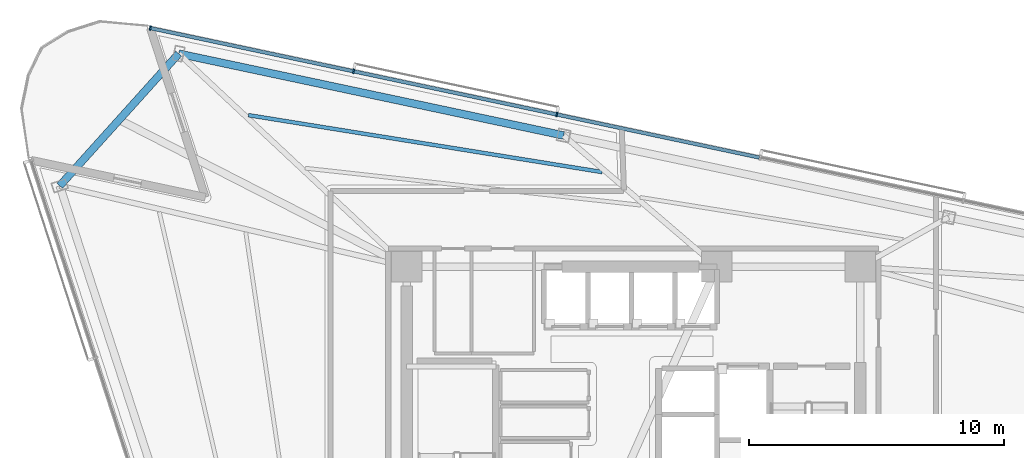
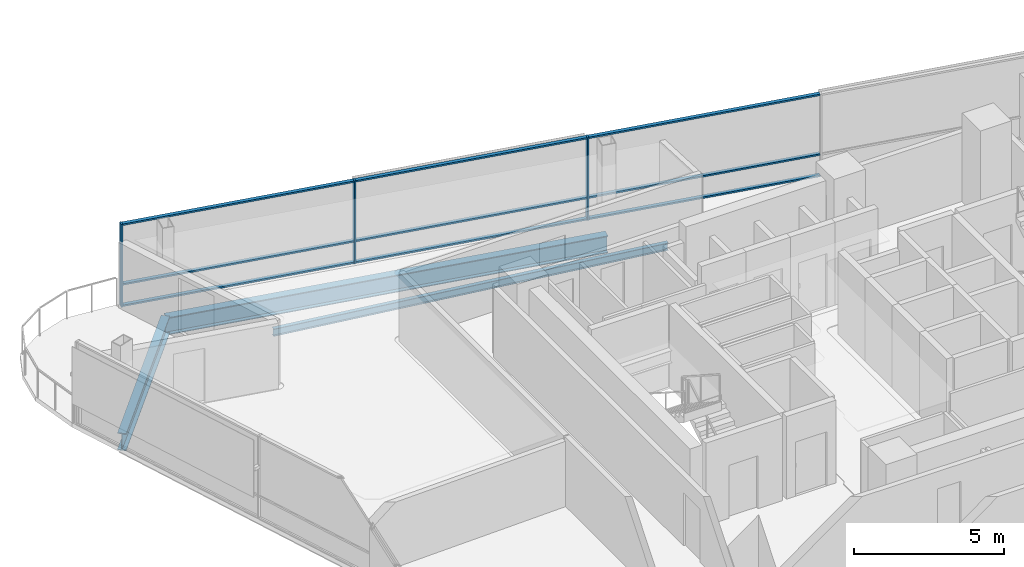
# One storey, part 7 of 17: 12 members, 3 beams, 1 element without a shape of its own.
"""IFC4 building model written with IfcOpenShell, lengths in metres."""

from ifc_helpers import new_model, si_unit, direction, frame, origin, origin_2d, place, context, subcontext, project, spatial, rectangle, i_section, extrude, material, layer, layer_set, material_profile, profile_set, type_object, element, aggregate, save


model = new_model("IFC4")

# Units and contexts
model_context = context("Model", 3, precision=1e-05, world=origin(), true_north=direction((0.0, 1.0)))
body_context = subcontext(model_context, "Body", "Model", "MODEL_VIEW")
ifc_project = project(units=[si_unit("LENGTHUNIT", "METRE"), si_unit("AREAUNIT", "SQUARE_METRE"), si_unit("VOLUMEUNIT", "CUBIC_METRE"), si_unit("PLANEANGLEUNIT", "RADIAN"), si_unit("MASSUNIT", "GRAM", prefix="KILO")], contexts=[model_context])

# Site, building, storey
site_placement = place(None, origin())
site = spatial("IfcSite", under=ifc_project, at=site_placement, CompositionType="ELEMENT")
building_placement = place(site_placement, origin())
building = spatial("IfcBuilding", under=site, at=building_placement, Name="Tharavind Bronze Gate", CompositionType="ELEMENT")
storey_placement = place(building_placement, frame((0.0, 0.0, 218.449951171875)))
storey = spatial("IfcBuildingStorey", under=building, at=storey_placement, Name="L56", CompositionType="ELEMENT", Elevation=218.449951171875)

# Curtain wall, members
ifc_material_1 = material(Name="Anodised Bronze Aluminium", Category="aluminium")
ifc_layer = layer(ifc_material_1, 0.219970703125)
ifc_layer_set = layer_set([ifc_layer], Name="Anodised Bronze Aluminium")
curtain_wall_type = type_object("IfcCurtainWallType", Name="UNITISED CURTAIN WALL MID OFFICE", PredefinedType="USERDEFINED", material=ifc_layer_set)
curtain_wall_placement = place(storey_placement, origin())
curtain_wall = element("IfcCurtainWall", 1, at=curtain_wall_placement, inside=storey, type_object=curtain_wall_type, Name="L56 unitised curtain wall mid office CW-L56-S3", ObjectType="UNITISED CURTAIN WALL", PredefinedType="USERDEFINED")
member_type_1 = type_object("IfcMemberType", Name="CURTAIN WALL BRONZE MULLION 65X180", PredefinedType="MULLION", material=ifc_material_1)
member_1_placement = place(storey_placement, frame((-3.004638671875, 13.576416015625, 0.0), z_axis=(0.0, 0.0, 1.0), x_axis=(-0.978147600734, 0.207911690818, 0.0)))
member_1 = element("IfcMember", 2, at=member_1_placement, type_object=member_type_1, Name="CW-L56-S3 mullion 5", PredefinedType="MULLION", context=body_context, shape_type="SweptSolid", body=[
    extrude(rectangle(XDim=0.06494140625, YDim=0.179931640625, at=origin_2d()), origin(), (0.0, 0.0, 1.0), 3.360107421875),
])
member_2_placement = place(storey_placement, frame((-10.982177734375, 15.27197265625, 0.0), z_axis=(0.0, 0.0, 1.0), x_axis=(-0.978147600734, 0.207911690818, 0.0)))
member_2 = element("IfcMember", 3, at=member_2_placement, type_object=member_type_1, Name="CW-L56-S3 mullion 6", PredefinedType="MULLION", context=body_context, shape_type="SweptSolid", body=[
    extrude(rectangle(XDim=0.06494140625, YDim=0.179931640625, at=origin_2d()), origin(), (0.0, 0.0, 1.0), 3.360107421875),
])
member_3_placement = place(storey_placement, frame((-18.959716796875, 16.967529296875, 0.0), z_axis=(0.0, 0.0, 1.0), x_axis=(-0.978147600734, 0.207911690818, 0.0)))
member_3 = element("IfcMember", 4, at=member_3_placement, type_object=member_type_1, Name="CW-L56-S3 mullion 7", PredefinedType="MULLION", context=body_context, shape_type="SweptSolid", body=[
    extrude(rectangle(XDim=0.06494140625, YDim=0.179931640625, at=origin_2d()), origin(), (0.0, 0.0, 1.0), 3.360107421875),
])
member_type_2 = type_object("IfcMemberType", Name="CURTAIN WALL BRONZE TRANSOM 65X140", PredefinedType="USERDEFINED", material=ifc_material_1)
member_4_placement = place(storey_placement, frame((0.98388671875, 12.728515625, 0.0), z_axis=(0.0, 0.0, 1.0), x_axis=(-0.978147600734, 0.207911690818, 0.0)))
member_4 = element("IfcMember", 5, at=member_4_placement, type_object=member_type_2, Name="CW-L56-S3 transom TB4", ObjectType="TRANSOM", PredefinedType="USERDEFINED", context=body_context, shape_type="SweptSolid", body=[
    extrude(rectangle(XDim=8.102783203125, YDim=0.139892578125, at=origin_2d()), origin(), (0.0, 0.0, 1.0), 0.06494140625),
])
member_5_placement = place(storey_placement, frame((0.98388671875, 12.728515625, 0.86767578125), z_axis=(0.0, 0.0, 1.0), x_axis=(-0.978147600734, 0.207911690818, 0.0)))
member_5 = element("IfcMember", 6, at=member_5_placement, type_object=member_type_2, Name="CW-L56-S3 transom TS4", ObjectType="TRANSOM", PredefinedType="USERDEFINED", context=body_context, shape_type="SweptSolid", body=[
    extrude(rectangle(XDim=8.102783203125, YDim=0.139892578125, at=origin_2d()), origin(), (0.0, 0.0, 1.0), 0.06494140625),
])
member_6_placement = place(storey_placement, frame((0.98388671875, 12.728515625, 3.295166015625), z_axis=(0.0, 0.0, 1.0), x_axis=(-0.978147600734, 0.207911690818, 0.0)))
member_6 = element("IfcMember", 7, at=member_6_placement, type_object=member_type_2, Name="CW-L56-S3 transom TT4", ObjectType="TRANSOM", PredefinedType="USERDEFINED", context=body_context, shape_type="SweptSolid", body=[
    extrude(rectangle(XDim=8.102783203125, YDim=0.139892578125, at=origin_2d()), origin(), (0.0, 0.0, 1.0), 0.06494140625),
])
member_7_placement = place(storey_placement, frame((-6.993408203125, 14.424072265625, 0.0), z_axis=(0.0, 0.0, 1.0), x_axis=(-0.978147600734, 0.207911690818, 0.0)))
member_7 = element("IfcMember", 8, at=member_7_placement, type_object=member_type_2, Name="CW-L56-S3 transom TB5", ObjectType="TRANSOM", PredefinedType="USERDEFINED", context=body_context, shape_type="SweptSolid", body=[
    extrude(rectangle(XDim=8.102783203125, YDim=0.139892578125, at=origin_2d()), origin(), (0.0, 0.0, 1.0), 0.06494140625),
])
member_8_placement = place(storey_placement, frame((-6.993408203125, 14.424072265625, 0.86767578125), z_axis=(0.0, 0.0, 1.0), x_axis=(-0.978147600734, 0.207911690818, 0.0)))
member_8 = element("IfcMember", 9, at=member_8_placement, type_object=member_type_2, Name="CW-L56-S3 transom TS5", ObjectType="TRANSOM", PredefinedType="USERDEFINED", context=body_context, shape_type="SweptSolid", body=[
    extrude(rectangle(XDim=8.102783203125, YDim=0.139892578125, at=origin_2d()), origin(), (0.0, 0.0, 1.0), 0.06494140625),
])
member_9_placement = place(storey_placement, frame((-6.993408203125, 14.424072265625, 3.295166015625), z_axis=(0.0, 0.0, 1.0), x_axis=(-0.978147600734, 0.207911690818, 0.0)))
member_9 = element("IfcMember", 10, at=member_9_placement, type_object=member_type_2, Name="CW-L56-S3 transom TT5", ObjectType="TRANSOM", PredefinedType="USERDEFINED", context=body_context, shape_type="SweptSolid", body=[
    extrude(rectangle(XDim=8.102783203125, YDim=0.139892578125, at=origin_2d()), origin(), (0.0, 0.0, 1.0), 0.06494140625),
])
member_10_placement = place(storey_placement, frame((-14.970947265625, 16.119873046875, 0.0), z_axis=(0.0, 0.0, 1.0), x_axis=(-0.978147600734, 0.207911690818, 0.0)))
member_10 = element("IfcMember", 11, at=member_10_placement, type_object=member_type_2, Name="CW-L56-S3 transom TB6", ObjectType="TRANSOM", PredefinedType="USERDEFINED", context=body_context, shape_type="SweptSolid", body=[
    extrude(rectangle(XDim=8.102783203125, YDim=0.139892578125, at=origin_2d()), origin(), (0.0, 0.0, 1.0), 0.06494140625),
])
member_11_placement = place(storey_placement, frame((-14.970947265625, 16.119873046875, 0.86767578125), z_axis=(0.0, 0.0, 1.0), x_axis=(-0.978147600734, 0.207911690818, 0.0)))
member_11 = element("IfcMember", 12, at=member_11_placement, type_object=member_type_2, Name="CW-L56-S3 transom TS6", ObjectType="TRANSOM", PredefinedType="USERDEFINED", context=body_context, shape_type="SweptSolid", body=[
    extrude(rectangle(XDim=8.102783203125, YDim=0.139892578125, at=origin_2d()), origin(), (0.0, 0.0, 1.0), 0.06494140625),
])
member_12_placement = place(storey_placement, frame((-14.970947265625, 16.119873046875, 3.295166015625), z_axis=(0.0, 0.0, 1.0), x_axis=(-0.978147600734, 0.207911690818, 0.0)))
member_12 = element("IfcMember", 13, at=member_12_placement, type_object=member_type_2, Name="CW-L56-S3 transom TT6", ObjectType="TRANSOM", PredefinedType="USERDEFINED", context=body_context, shape_type="SweptSolid", body=[
    extrude(rectangle(XDim=8.102783203125, YDim=0.139892578125, at=origin_2d()), origin(), (0.0, 0.0, 1.0), 0.06494140625),
])
aggregate(curtain_wall, [member_1, member_2, member_3, member_4, member_5, member_6, member_7, member_8, member_9, member_10, member_11, member_12])

# Beams
ifc_material_2 = material(Name="Steel S355", Category="steel")
ifc_material_profile_1 = material_profile(ifc_material_2, i_section(OverallWidth=0.300048828125, OverallDepth=0.699951171875, WebThickness=0.01708984375, FlangeThickness=0.031982421875, at=origin_2d()), Name="HE700B")
ifc_profile_set_1 = profile_set([ifc_material_profile_1], Name="Steel S355")
beam_type_1 = type_object("IfcBeamType", Name="RING GIRDER HE700B", PredefinedType="USERDEFINED", material=ifc_profile_set_1)
beam_1_placement = place(storey_placement, frame((-2.737060546875, 12.752685546875, -0.530029296875), z_axis=(-0.978148967388, 0.207905261111, 0.0), x_axis=(-0.207905261111, -0.978148967388, 0.0)))
element("IfcBeam", 14, at=beam_1_placement, inside=storey, type_object=beam_type_1, Name="L56 ring girder he700b BM-L56-PRG11", ObjectType="GIRDER", PredefinedType="USERDEFINED", context=body_context, shape_type="SweptSolid", body=[
    extrude(i_section(OverallWidth=0.300048828125, OverallDepth=0.699951171875, WebThickness=0.01708984375, FlangeThickness=0.031982421875, at=origin_2d()), origin(), (0.0, 0.0, 1.0), 15.4453125),
])
beam_2_placement = place(storey_placement, frame((-17.844970703125, 15.9638671875, -0.530029296875), z_axis=(-0.669130909152, -0.743144552841, 0.0), x_axis=(0.743144552841, -0.669130909152, 0.0)))
element("IfcBeam", 15, at=beam_2_placement, inside=storey, type_object=beam_type_1, Name="L56 ring girder he700b BM-L56-PRG12", ObjectType="GIRDER", PredefinedType="USERDEFINED", context=body_context, shape_type="SweptSolid", body=[
    extrude(i_section(OverallWidth=0.300048828125, OverallDepth=0.699951171875, WebThickness=0.01708984375, FlangeThickness=0.031982421875, at=origin_2d()), origin(), (0.0, 0.0, 1.0), 6.979736328125),
])
ifc_material_profile_2 = material_profile(ifc_material_2, i_section(OverallWidth=0.14990234375, OverallDepth=0.300048828125, WebThickness=0.007080078125, FlangeThickness=0.0107421875, at=origin_2d()), Name="IPE300")
ifc_profile_set_2 = profile_set([ifc_material_profile_2], Name="Steel S355")
beam_type_2 = type_object("IfcBeamType", Name="SECONDARY FLOOR JOIST IPE300", PredefinedType="JOIST", material=ifc_profile_set_2)
beam_3_placement = place(storey_placement, frame((-1.224853515625, 11.316650390625, -0.329833984375), z_axis=(-0.987305145712, 0.158834974899, 0.0), x_axis=(-0.158834974899, -0.987305145712, 0.0)))
element("IfcBeam", 16, at=beam_3_placement, inside=storey, type_object=beam_type_2, Name="L56 secondary floor joist ipe300 BM-L56-JSTB11", PredefinedType="JOIST", context=body_context, shape_type="SweptSolid", body=[
    extrude(i_section(OverallWidth=0.14990234375, OverallDepth=0.300048828125, WebThickness=0.007080078125, FlangeThickness=0.0107421875, at=origin_2d()), origin(), (0.0, 0.0, 1.0), 14.0595703125),
])

save(model, "model.ifc")
